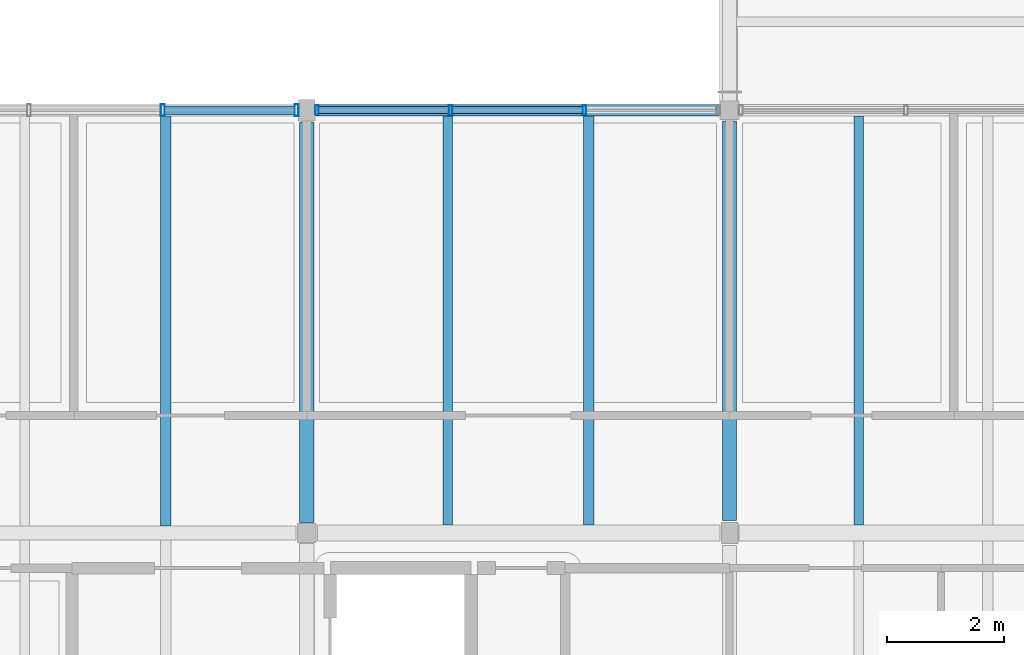
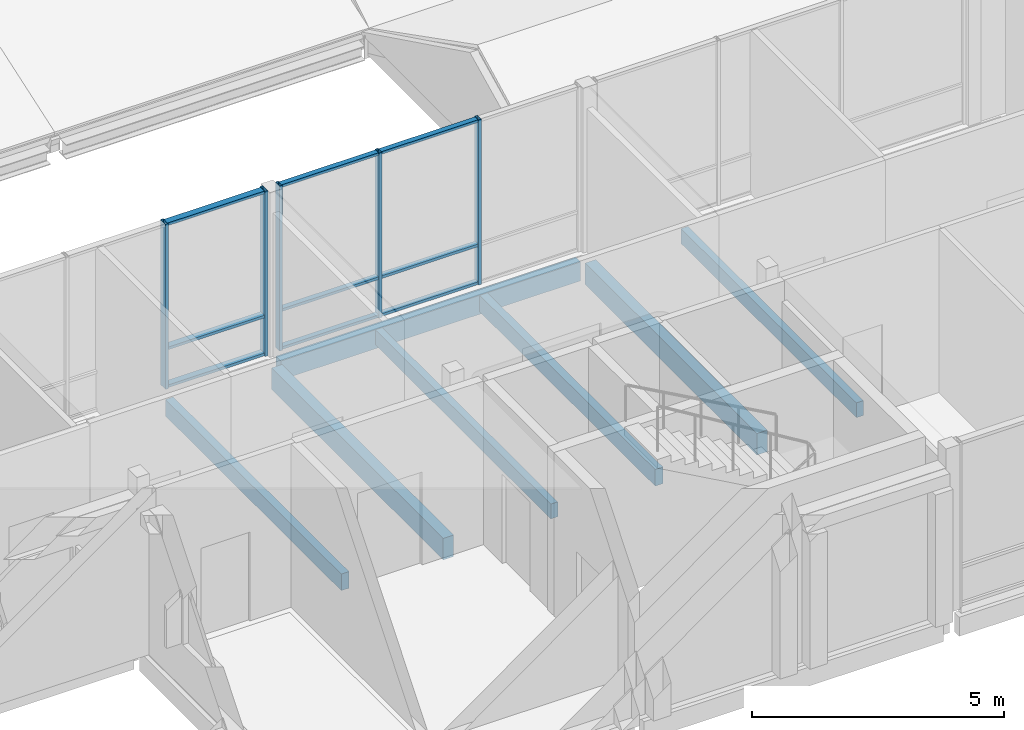
# One storey, part 17 of 115: 14 members, 7 beams, 2 elements without a shape of their own.
"""IFC4 building model written with IfcOpenShell, lengths in metres."""

from ifc_helpers import new_model, si_unit, direction, frame, origin, origin_2d, place, context, subcontext, project, spatial, rectangle, hollow_rectangle, extrude, material, material_profile, profile_set, type_object, element, aggregate, save


model = new_model("IFC4")

# Units and contexts
model_context = context("Model", 3, precision=1e-05, world=origin(), true_north=direction((0.0, 1.0)))
body_context = subcontext(model_context, "Body", "Model", "MODEL_VIEW")
ifc_project = project(units=[si_unit("LENGTHUNIT", "METRE"), si_unit("AREAUNIT", "SQUARE_METRE"), si_unit("VOLUMEUNIT", "CUBIC_METRE"), si_unit("PLANEANGLEUNIT", "RADIAN"), si_unit("MASSUNIT", "GRAM", prefix="KILO")], contexts=[model_context])

# Site, building, storey
site_placement = place(None, origin())
site = spatial("IfcSite", under=ifc_project, at=site_placement, CompositionType="ELEMENT")
building_placement = place(site_placement, origin())
building = spatial("IfcBuilding", under=site, at=building_placement, Name="Hawrajan Terrace Health Centre", CompositionType="ELEMENT")
storey_placement = place(building_placement, frame((0.0, 0.0, 9.0)))
storey = spatial("IfcBuildingStorey", under=building, at=storey_placement, Name="L02", CompositionType="ELEMENT", Elevation=9.0)

# Curtain wall, members
ifc_material_1 = material(Name="Anodized bronze aluminium and low-E solar glazing", Category="aluminium")
curtain_wall_type_1 = type_object("IfcCurtainWallType", Name="CW_Pavilion_SeriesE1", PredefinedType="USERDEFINED", material=ifc_material_1)
curtain_wall_1_placement = place(storey_placement, origin())
curtain_wall_1 = element("IfcCurtainWall", 1, at=curtain_wall_1_placement, inside=storey, type_object=curtain_wall_type_1, Name="Curtain wall CW-L02-132", ObjectType="UNITISED CURTAIN WALL", PredefinedType="USERDEFINED")
ifc_material_2 = material(Name="Anodized bronze aluminium 6063-T6", Category="aluminium")
ifc_material_profile_1 = material_profile(ifc_material_2, hollow_rectangle(XDim=0.06494140625, YDim=0.159912109375, WallThickness=0.00390625, at=origin_2d()), Name="CW MUL 65x160")
ifc_profile_set_1 = profile_set([ifc_material_profile_1], Name="Anodized bronze aluminium 6063-T6")
member_type_1 = type_object("IfcMemberType", Name="CWMullion_65x160", PredefinedType="MULLION", material=ifc_profile_set_1)
member_1_placement = place(storey_placement, frame((55.172607421875, 18.60009765625, -0.0048828125), z_axis=(0.0, 0.0, 1.0), x_axis=(1.0, 0.0, 0.0)))
member_1 = element("IfcMember", 2, at=member_1_placement, type_object=member_type_1, Name="Mullion CW-L02-132-M1", PredefinedType="MULLION", context=body_context, shape_type="SweptSolid", body=[
    extrude(hollow_rectangle(XDim=0.06494140625, YDim=0.159912109375, WallThickness=0.00390625, at=origin_2d()), origin(), (0.0, 0.0, 1.0), 4.0),
])
member_2_placement = place(storey_placement, frame((57.45068359375, 18.60009765625, -0.0048828125), z_axis=(0.0, 0.0, 1.0), x_axis=(1.0, 0.0, 0.0)))
member_2 = element("IfcMember", 3, at=member_2_placement, type_object=member_type_1, Name="Mullion CW-L02-132-M2", PredefinedType="MULLION", context=body_context, shape_type="SweptSolid", body=[
    extrude(hollow_rectangle(XDim=0.06494140625, YDim=0.159912109375, WallThickness=0.00390625, at=origin_2d()), origin(), (0.0, 0.0, 1.0), 4.0),
])
member_3_placement = place(storey_placement, frame((59.729248046875, 18.60009765625, -0.0048828125), z_axis=(0.0, 0.0, 1.0), x_axis=(1.0, 0.0, 0.0)))
member_3 = element("IfcMember", 4, at=member_3_placement, type_object=member_type_1, Name="Mullion CW-L02-132-M3", PredefinedType="MULLION", context=body_context, shape_type="SweptSolid", body=[
    extrude(hollow_rectangle(XDim=0.06494140625, YDim=0.159912109375, WallThickness=0.00390625, at=origin_2d()), origin(), (0.0, 0.0, 1.0), 4.0),
])

curtain_wall_type_2 = type_object("IfcCurtainWallType", Name="CW_Hall_SeriesD1", PredefinedType="USERDEFINED", material=ifc_material_1)
curtain_wall_2_placement = place(storey_placement, origin())
curtain_wall_2 = element("IfcCurtainWall", 5, at=curtain_wall_2_placement, inside=storey, type_object=curtain_wall_type_2, Name="Curtain wall CW-L02-130", ObjectType="UNITISED CURTAIN WALL", PredefinedType="USERDEFINED")
ifc_material_profile_2 = material_profile(ifc_material_2, hollow_rectangle(XDim=0.06494140625, YDim=0.199951171875, WallThickness=0.00439453125, at=origin_2d()), Name="CW MUL 65x200")
ifc_profile_set_2 = profile_set([ifc_material_profile_2], Name="Anodized bronze aluminium 6063-T6")
member_type_2 = type_object("IfcMemberType", Name="CWMullion_65x200", PredefinedType="MULLION", material=ifc_profile_set_2)
member_4_placement = place(storey_placement, frame((52.54931640625, 18.60009765625, -0.0048828125), z_axis=(0.0, 0.0, 1.0), x_axis=(1.0, 0.0, 0.0)))
member_4 = element("IfcMember", 6, at=member_4_placement, type_object=member_type_2, Name="Mullion CW-L02-130-M3", PredefinedType="MULLION", context=body_context, shape_type="SweptSolid", body=[
    extrude(hollow_rectangle(XDim=0.06494140625, YDim=0.199951171875, WallThickness=0.00439453125, at=origin_2d()), origin(), (0.0, 0.0, 1.0), 4.0),
])
member_5_placement = place(storey_placement, frame((54.827392578125, 18.60009765625, -0.0048828125), z_axis=(0.0, 0.0, 1.0), x_axis=(1.0, 0.0, 0.0)))
member_5 = element("IfcMember", 7, at=member_5_placement, type_object=member_type_2, Name="Mullion CW-L02-130-M4", PredefinedType="MULLION", context=body_context, shape_type="SweptSolid", body=[
    extrude(hollow_rectangle(XDim=0.06494140625, YDim=0.199951171875, WallThickness=0.00439453125, at=origin_2d()), origin(), (0.0, 0.0, 1.0), 4.0),
])

# Member
ifc_material_profile_3 = material_profile(ifc_material_2, hollow_rectangle(XDim=0.06494140625, YDim=0.1201171875, WallThickness=0.00341796875, at=origin_2d()), Name="CW TRN 65x120")
ifc_profile_set_3 = profile_set([ifc_material_profile_3], Name="Anodized bronze aluminium 6063-T6")
member_type_3 = type_object("IfcMemberType", Name="CWTransom_65x120", PredefinedType="USERDEFINED", material=ifc_profile_set_3)
member_6_placement = place(storey_placement, frame((55.198974609375, 18.60009765625, 0.032470703125), z_axis=(1.0, 0.0, 0.0), x_axis=(0.0, 0.0, 1.0)))
member_6 = element("IfcMember", 8, at=member_6_placement, type_object=member_type_3, Name="Transom CW-L02-132-T1-1", ObjectType="TRANSOM", PredefinedType="USERDEFINED", context=body_context, shape_type="SweptSolid", body=[
    extrude(hollow_rectangle(XDim=0.06494140625, YDim=0.1201171875, WallThickness=0.00341796875, at=origin_2d()), origin(), (0.0, 0.0, 1.0), 2.225341796875),
])

member_7_placement = place(storey_placement, frame((55.198974609375, 18.60009765625, 0.949951171875), z_axis=(1.0, 0.0, 0.0), x_axis=(0.0, 0.0, 1.0)))
member_7 = element("IfcMember", 9, at=member_7_placement, type_object=member_type_3, Name="Transom CW-L02-132-T1-2", ObjectType="TRANSOM", PredefinedType="USERDEFINED", context=body_context, shape_type="SweptSolid", body=[
    extrude(hollow_rectangle(XDim=0.06494140625, YDim=0.1201171875, WallThickness=0.00341796875, at=origin_2d()), origin(), (0.0, 0.0, 1.0), 2.225341796875),
])

member_8_placement = place(storey_placement, frame((55.198974609375, 18.60009765625, 3.95751953125), z_axis=(1.0, 0.0, 0.0), x_axis=(0.0, 0.0, 1.0)))
member_8 = element("IfcMember", 10, at=member_8_placement, type_object=member_type_3, Name="Transom CW-L02-132-T1-3", ObjectType="TRANSOM", PredefinedType="USERDEFINED", context=body_context, shape_type="SweptSolid", body=[
    extrude(hollow_rectangle(XDim=0.06494140625, YDim=0.1201171875, WallThickness=0.00341796875, at=origin_2d()), origin(), (0.0, 0.0, 1.0), 2.225341796875),
])

member_9_placement = place(storey_placement, frame((57.477294921875, 18.60009765625, 0.032470703125), z_axis=(1.0, 0.0, 0.0), x_axis=(0.0, 0.0, 1.0)))
member_9 = element("IfcMember", 11, at=member_9_placement, type_object=member_type_3, Name="Transom CW-L02-132-T2-1", ObjectType="TRANSOM", PredefinedType="USERDEFINED", context=body_context, shape_type="SweptSolid", body=[
    extrude(hollow_rectangle(XDim=0.06494140625, YDim=0.1201171875, WallThickness=0.00341796875, at=origin_2d()), origin(), (0.0, 0.0, 1.0), 2.225341796875),
])

member_10_placement = place(storey_placement, frame((57.477294921875, 18.60009765625, 0.949951171875), z_axis=(1.0, 0.0, 0.0), x_axis=(0.0, 0.0, 1.0)))
member_10 = element("IfcMember", 12, at=member_10_placement, type_object=member_type_3, Name="Transom CW-L02-132-T2-2", ObjectType="TRANSOM", PredefinedType="USERDEFINED", context=body_context, shape_type="SweptSolid", body=[
    extrude(hollow_rectangle(XDim=0.06494140625, YDim=0.1201171875, WallThickness=0.00341796875, at=origin_2d()), origin(), (0.0, 0.0, 1.0), 2.225341796875),
])

member_11_placement = place(storey_placement, frame((57.477294921875, 18.60009765625, 3.95751953125), z_axis=(1.0, 0.0, 0.0), x_axis=(0.0, 0.0, 1.0)))
member_11 = element("IfcMember", 13, at=member_11_placement, type_object=member_type_3, Name="Transom CW-L02-132-T2-3", ObjectType="TRANSOM", PredefinedType="USERDEFINED", context=body_context, shape_type="SweptSolid", body=[
    extrude(hollow_rectangle(XDim=0.06494140625, YDim=0.1201171875, WallThickness=0.00341796875, at=origin_2d()), origin(), (0.0, 0.0, 1.0), 2.225341796875),
])

aggregate(curtain_wall_1, [member_1, member_2, member_3, member_6, member_7, member_8, member_9, member_10, member_11])

ifc_material_profile_4 = material_profile(ifc_material_2, hollow_rectangle(XDim=0.06494140625, YDim=0.14990234375, WallThickness=0.00390625, at=origin_2d()), Name="CW TRN 65x150")
ifc_profile_set_4 = profile_set([ifc_material_profile_4], Name="Anodized bronze aluminium 6063-T6")
member_type_4 = type_object("IfcMemberType", Name="CWTransom_65x150", PredefinedType="USERDEFINED", material=ifc_profile_set_4)
member_12_placement = place(storey_placement, frame((52.57568359375, 18.60009765625, 0.032470703125), z_axis=(1.0, 0.0, 0.0), x_axis=(0.0, 0.0, 1.0)))
member_12 = element("IfcMember", 14, at=member_12_placement, type_object=member_type_4, Name="Transom CW-L02-130-T3-1", ObjectType="TRANSOM", PredefinedType="USERDEFINED", context=body_context, shape_type="SweptSolid", body=[
    extrude(hollow_rectangle(XDim=0.06494140625, YDim=0.14990234375, WallThickness=0.00390625, at=origin_2d()), origin(), (0.0, 0.0, 1.0), 2.225341796875),
])

member_13_placement = place(storey_placement, frame((52.57568359375, 18.60009765625, 0.949951171875), z_axis=(1.0, 0.0, 0.0), x_axis=(0.0, 0.0, 1.0)))
member_13 = element("IfcMember", 15, at=member_13_placement, type_object=member_type_4, Name="Transom CW-L02-130-T3-2", ObjectType="TRANSOM", PredefinedType="USERDEFINED", context=body_context, shape_type="SweptSolid", body=[
    extrude(hollow_rectangle(XDim=0.06494140625, YDim=0.14990234375, WallThickness=0.00390625, at=origin_2d()), origin(), (0.0, 0.0, 1.0), 2.225341796875),
])

member_14_placement = place(storey_placement, frame((52.57568359375, 18.60009765625, 3.95751953125), z_axis=(1.0, 0.0, 0.0), x_axis=(0.0, 0.0, 1.0)))
member_14 = element("IfcMember", 16, at=member_14_placement, type_object=member_type_4, Name="Transom CW-L02-130-T3-3", ObjectType="TRANSOM", PredefinedType="USERDEFINED", context=body_context, shape_type="SweptSolid", body=[
    extrude(hollow_rectangle(XDim=0.06494140625, YDim=0.14990234375, WallThickness=0.00390625, at=origin_2d()), origin(), (0.0, 0.0, 1.0), 2.225341796875),
])

aggregate(curtain_wall_2, [member_4, member_5, member_12, member_13, member_14])

# Beams
ifc_material_3 = material(Name="Glulam GL32h", Category="wood")
ifc_material_profile_5 = material_profile(ifc_material_3, rectangle(XDim=0.239990234375, YDim=0.52001953125, at=origin_2d()), Name="GL BM 240x520")
ifc_profile_set_5 = profile_set([ifc_material_profile_5], Name="Glulam GL32h")
beam_type_1 = type_object("IfcBeamType", Name="GlulamGirder_240x520", PredefinedType="BEAM", material=ifc_profile_set_5)
for number, where, z_axis, x_axis, name in (
    (17, (55.0, 11.580078125, -0.5), (0.0, 1.0, 0.0), (-1.0, 0.0, 0.0), "Beam BM-Y-L02-W-X08-2"),
    (18, (62.199951171875, 11.610107421875, -0.5), (0.0, 1.0, 0.0), (-1.0, 0.0, 0.0), "Beam BM-Y-L02-W-X09-2"),
):
    element("IfcBeam", number, at=place(storey_placement, frame(where, z_axis=z_axis, x_axis=x_axis)), inside=storey, type_object=beam_type_1, Name=name, PredefinedType="BEAM", context=body_context, shape_type="SweptSolid", body=[
        extrude(rectangle(XDim=0.239990234375, YDim=0.52001953125, at=origin_2d()), origin(), (0.0, 0.0, 1.0), 6.809814453125),
    ])
ifc_material_4 = material(Name="Glulam GL28h", Category="wood")
ifc_material_profile_6 = material_profile(ifc_material_4, rectangle(XDim=0.159912109375, YDim=0.360107421875, at=origin_2d()), Name="GL JST 160x360")
ifc_profile_set_6 = profile_set([ifc_material_profile_6], Name="Glulam GL28h")
beam_type_2 = type_object("IfcBeamType", Name="GlulamJoist_160x360", PredefinedType="JOIST", material=ifc_profile_set_6)
for number, where, z_axis, x_axis, name in (
    (19, (57.39990234375, 11.5400390625, -0.419921875), (0.0, 1.0, 0.0), (-1.0, 0.0, 0.0), "Secondary joist JST-L02-W-08-2-1"),
    (20, (64.39990234375, 11.5400390625, -0.419921875), (0.0, 1.0, 0.0), (-1.0, 0.0, 0.0), "Secondary joist JST-L02-W-09-2-1"),
):
    element("IfcBeam", number, at=place(storey_placement, frame(where, z_axis=z_axis, x_axis=x_axis)), inside=storey, type_object=beam_type_2, Name=name, PredefinedType="JOIST", context=body_context, shape_type="SweptSolid", body=[
        extrude(rectangle(XDim=0.159912109375, YDim=0.360107421875, at=origin_2d()), origin(), (0.0, 0.0, 1.0), 6.9599609375),
    ])
ifc_material_profile_7 = material_profile(ifc_material_4, rectangle(XDim=0.179931640625, YDim=0.39990234375, at=origin_2d()), Name="GL JST 180x400")
ifc_profile_set_7 = profile_set([ifc_material_profile_7], Name="Glulam GL28h")
beam_type_3 = type_object("IfcBeamType", Name="GlulamJoist_180x400", PredefinedType="JOIST", material=ifc_profile_set_7)
beam_1_placement = place(storey_placement, frame((52.60009765625, 11.52001953125, -0.43994140625), z_axis=(0.0, 1.0, 0.0), x_axis=(-1.0, 0.0, 0.0)))
element("IfcBeam", 21, at=beam_1_placement, inside=storey, type_object=beam_type_3, Name="Secondary joist JST-L02-W-07-2-2", PredefinedType="JOIST", context=body_context, shape_type="SweptSolid", body=[
    extrude(rectangle(XDim=0.179931640625, YDim=0.39990234375, at=origin_2d()), origin(), (0.0, 0.0, 1.0), 6.97998046875),
])
beam_2_placement = place(storey_placement, frame((59.800048828125, 11.5400390625, -0.43994140625), z_axis=(0.0, 1.0, 0.0), x_axis=(-1.0, 0.0, 0.0)))
element("IfcBeam", 22, at=beam_2_placement, inside=storey, type_object=beam_type_3, Name="Secondary joist JST-L02-W-08-2-2", PredefinedType="JOIST", context=body_context, shape_type="SweptSolid", body=[
    extrude(rectangle(XDim=0.179931640625, YDim=0.39990234375, at=origin_2d()), origin(), (0.0, 0.0, 1.0), 6.9599609375),
])
ifc_material_profile_8 = material_profile(ifc_material_3, rectangle(XDim=0.199951171875, YDim=0.4599609375, at=origin_2d()), Name="GL SP 200x460")
ifc_profile_set_8 = profile_set([ifc_material_profile_8], Name="Glulam GL32h")
beam_type_4 = type_object("IfcBeamType", Name="GlulamSpandrel_200x460", PredefinedType="SPANDREL", material=ifc_profile_set_8)
beam_3_placement = place(storey_placement, frame((55.159912109375, 18.60009765625, -0.469970703125), z_axis=(1.0, 0.0, 0.0), x_axis=(0.0, 1.0, 0.0)))
element("IfcBeam", 23, at=beam_3_placement, inside=storey, type_object=beam_type_4, Name="Beam BM-X-L02-W-08-Y3", PredefinedType="SPANDREL", context=body_context, shape_type="SweptSolid", body=[
    extrude(rectangle(XDim=0.199951171875, YDim=0.4599609375, at=origin_2d()), origin(), (0.0, 0.0, 1.0), 6.860107421875),
])

save(model, "model.ifc")
